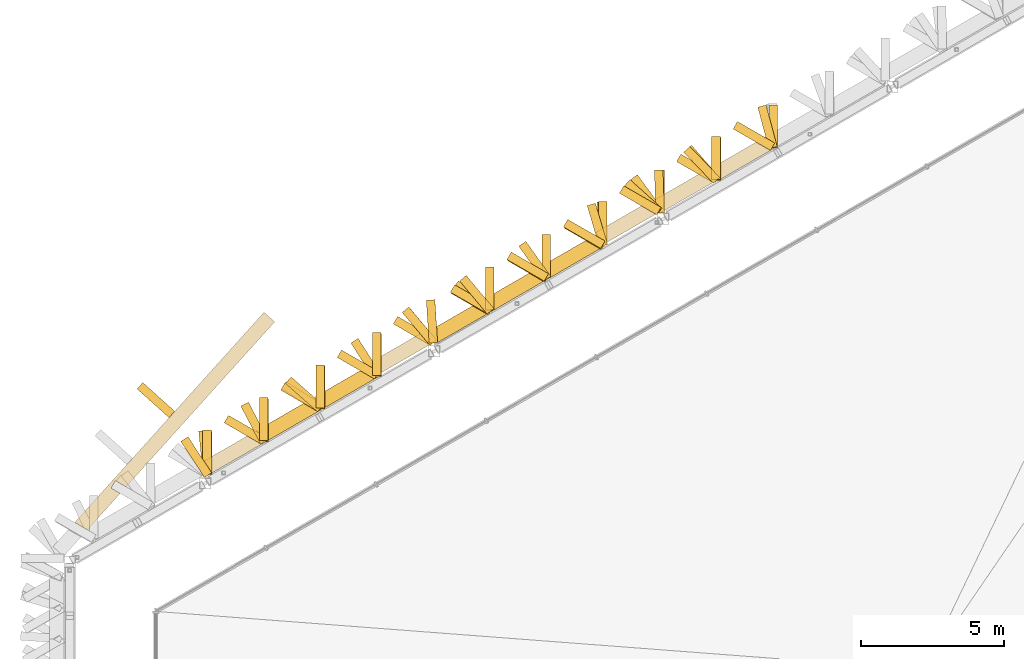
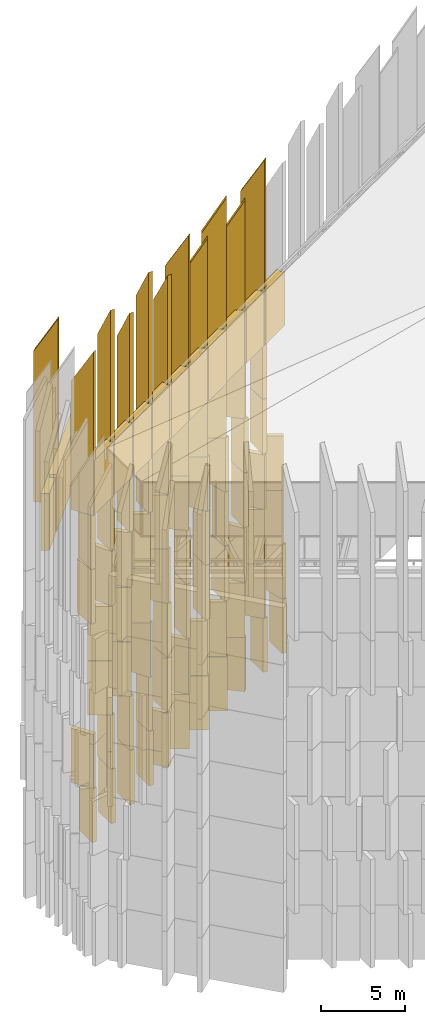
# One storey, part 42 of 45: 84 shading devices.
"""IFC4 building model written with IfcOpenShell, lengths in metres."""

from ifc_helpers import new_model, si_unit, direction, frame, frame_2d, origin, place, context, subcontext, project, spatial, polyline, rectangle, outline, extrude, material, layer, layer_set, type_object, element, save


model = new_model("IFC4")

# Units and contexts
model_context = context("Model", 3, precision=1e-05, world=origin(), true_north=direction((0.0, 1.0)))
body_context = subcontext(model_context, "Body", "Model", "MODEL_VIEW")
ifc_project = project(units=[si_unit("LENGTHUNIT", "METRE"), si_unit("AREAUNIT", "SQUARE_METRE"), si_unit("VOLUMEUNIT", "CUBIC_METRE"), si_unit("PLANEANGLEUNIT", "RADIAN"), si_unit("MASSUNIT", "GRAM", prefix="KILO")], contexts=[model_context])

# Site, building, storey
site_placement = place(None, origin())
site = spatial("IfcSite", under=ifc_project, at=site_placement, CompositionType="ELEMENT")
building_placement = place(site_placement, origin())
building = spatial("IfcBuilding", under=site, at=building_placement, Name="Jabali Bay Hotel Tower and Convention Centre", CompositionType="ELEMENT")
storey_placement = place(building_placement, frame((0.0, 0.0, 322.39990234375)))
storey = spatial("IfcBuildingStorey", under=building, at=storey_placement, Name="Crown", CompositionType="ELEMENT", Elevation=322.39990234375)

# Shading devices
ifc_material_1 = material(Name="Aluminium 6063", Category="aluminium")
shading_device_type_1 = type_object("IfcShadingDeviceType", Name="Louvre bank", PredefinedType="USERDEFINED", material=ifc_material_1)
shading_device_1_placement = place(storey_placement, frame((0.0, 0.0, 23.92431640625)))
element("IfcShadingDevice", 1, at=shading_device_1_placement, inside=storey, type_object=shading_device_type_1, Name="Louvre 7.2.36", ObjectType="LOUVRE", PredefinedType="USERDEFINED", context=body_context, shape_type="SweptSolid", body=[
    extrude(outline(polyline([(67.797119140625, 97.02880859375), (69.768310546875, 98.1669921875), (69.7490234375, 98.200439453125), (69.604248046875, 98.16162109375), (69.490966796875, 98.583984375), (67.581787109375, 97.48193359375), (67.887451171875, 97.16357421875), (67.779052734375, 97.059814453125), (67.797119140625, 97.02880859375)])), origin(), (0.0, 0.0, 1.0), 3.9658203125),
])
shading_device_2_placement = place(storey_placement, frame((0.0, 0.0, 23.92431640625)))
element("IfcShadingDevice", 2, at=shading_device_2_placement, inside=storey, type_object=shading_device_type_1, Name="Louvre 7.2.37", ObjectType="LOUVRE", PredefinedType="USERDEFINED", context=body_context, shape_type="SweptSolid", body=[
    extrude(outline(polyline([(65.81005859375, 95.917236328125), (67.64892578125, 96.978759765625), (67.292236328125, 97.350341796875), (65.56005859375, 96.350341796875), (65.617919921875, 96.250244140625), (65.843017578125, 96.120361328125), (65.767822265625, 95.990478515625), (65.81005859375, 95.917236328125)])), origin(), (0.0, 0.0, 1.0), 3.9658203125),
])
shading_device_3_placement = place(storey_placement, frame((0.0, 0.0, 23.92431640625)))
element("IfcShadingDevice", 3, at=shading_device_3_placement, inside=storey, type_object=shading_device_type_1, Name="Louvre 7.2.38", ObjectType="LOUVRE", PredefinedType="USERDEFINED", context=body_context, shape_type="SweptSolid", body=[
    extrude(outline(polyline([(63.817626953125, 94.815673828125), (65.66015625, 95.87939453125), (65.16015625, 96.168212890625), (63.567626953125, 95.248779296875), (63.666748046875, 95.0771484375), (63.891845703125, 94.947265625), (63.816650390625, 94.817138671875), (63.817626953125, 94.815673828125)])), origin(), (0.0, 0.0, 1.0), 3.9658203125),
])
shading_device_4_placement = place(storey_placement, frame((0.0, 0.0, 23.92431640625)))
element("IfcShadingDevice", 4, at=shading_device_4_placement, inside=storey, type_object=shading_device_type_1, Name="Louvre 7.2.39", ObjectType="LOUVRE", PredefinedType="USERDEFINED", context=body_context, shape_type="SweptSolid", body=[
    extrude(outline(polyline([(61.8828125, 93.614013671875), (63.74169921875, 94.687255859375), (63.24169921875, 94.97607421875), (61.6328125, 94.047119140625), (61.6953125, 93.93896484375), (61.92041015625, 93.808837890625), (61.84521484375, 93.678955078125), (61.8828125, 93.614013671875)])), origin(), (0.0, 0.0, 1.0), 3.9658203125),
])
shading_device_5_placement = place(storey_placement, frame((0.0, 0.0, 23.92431640625)))
element("IfcShadingDevice", 5, at=shading_device_5_placement, inside=storey, type_object=shading_device_type_1, Name="Louvre 7.2.40", ObjectType="LOUVRE", PredefinedType="USERDEFINED", context=body_context, shape_type="SweptSolid", body=[
    extrude(outline(polyline([(59.911376953125, 92.475830078125), (61.770263671875, 93.549072265625), (61.270263671875, 93.837890625), (59.721435546875, 92.943603515625), (60.013427734375, 92.5947265625), (59.8984375, 92.498291015625), (59.911376953125, 92.475830078125)])), origin(), (0.0, 0.0, 1.0), 3.9658203125),
])
shading_device_6_placement = place(storey_placement, frame((0.0, 0.0, 23.92431640625)))
element("IfcShadingDevice", 6, at=shading_device_6_placement, inside=storey, type_object=shading_device_type_1, Name="Louvre 7.2.41", ObjectType="LOUVRE", PredefinedType="USERDEFINED", context=body_context, shape_type="SweptSolid", body=[
    extrude(outline(polyline([(58.056396484375, 91.405029296875), (59.783447265625, 92.402099609375), (59.45751953125, 92.791259765625), (58.020263671875, 91.96142578125), (58.056396484375, 91.405029296875)])), origin(), (0.0, 0.0, 1.0), 3.9658203125),
])
shading_device_7_placement = place(storey_placement, frame((0.0, 0.0, 23.92431640625)))
element("IfcShadingDevice", 7, at=shading_device_7_placement, inside=storey, type_object=shading_device_type_1, Name="Louvre 7.2.42", ObjectType="LOUVRE", PredefinedType="USERDEFINED", context=body_context, shape_type="SweptSolid", body=[
    extrude(outline(polyline([(56.0810546875, 90.34912109375), (57.891357421875, 91.394287109375), (57.757080078125, 91.385498046875), (57.7373046875, 91.688720703125), (57.6533203125, 91.834228515625), (56.0810546875, 90.92626953125), (56.0810546875, 90.34912109375)])), origin(), (0.0, 0.0, 1.0), 3.9658203125),
])
shading_device_8_placement = place(storey_placement, frame((0.0, 0.0, 23.92431640625)))
element("IfcShadingDevice", 8, at=shading_device_8_placement, inside=storey, type_object=shading_device_type_1, Name="Louvre 7.2.43", ObjectType="LOUVRE", PredefinedType="USERDEFINED", context=body_context, shape_type="SweptSolid", body=[
    extrude(outline(polyline([(54.109619140625, 89.126220703125), (55.968505859375, 90.199462890625), (55.93115234375, 90.264404296875), (55.781005859375, 90.264404296875), (55.781005859375, 90.524169921875), (55.718505859375, 90.632568359375), (54.109619140625, 89.70361328125), (54.109619140625, 89.126220703125)])), origin(), (0.0, 0.0, 1.0), 3.9658203125),
])
shading_device_9_placement = place(storey_placement, frame((0.0, 0.0, 23.92431640625)))
element("IfcShadingDevice", 9, at=shading_device_9_placement, inside=storey, type_object=shading_device_type_1, Name="Louvre 7.2.44", ObjectType="LOUVRE", PredefinedType="USERDEFINED", context=body_context, shape_type="SweptSolid", body=[
    extrude(outline(polyline([(52.138427734375, 87.988037109375), (53.997314453125, 89.061279296875), (53.959716796875, 89.126220703125), (53.809814453125, 89.126220703125), (53.809814453125, 89.385986328125), (53.747314453125, 89.494384765625), (52.138427734375, 88.5654296875), (52.138427734375, 87.988037109375)])), origin(), (0.0, 0.0, 1.0), 3.9658203125),
])
shading_device_10_placement = place(storey_placement, frame((0.0, 0.0, 23.92431640625)))
element("IfcShadingDevice", 10, at=shading_device_10_placement, inside=storey, type_object=shading_device_type_1, Name="Louvre 7.2.45", ObjectType="LOUVRE", PredefinedType="USERDEFINED", context=body_context, shape_type="SweptSolid", body=[
    extrude(outline(polyline([(50.054443359375, 86.784912109375), (52.02587890625, 87.923095703125), (51.98828125, 87.988037109375), (51.83837890625, 87.988037109375), (51.83837890625, 88.247802734375), (51.77587890625, 88.356201171875), (49.908935546875, 87.2783203125), (50.1787109375, 86.869384765625), (50.053466796875, 86.786865234375), (50.054443359375, 86.784912109375)])), origin(), (0.0, 0.0, 1.0), 3.9658203125),
])
shading_device_11_placement = place(storey_placement, frame((0.0, 0.0, 23.92431640625)))
element("IfcShadingDevice", 11, at=shading_device_11_placement, inside=storey, type_object=shading_device_type_1, Name="Louvre 7.W01", ObjectType="LOUVRE", PredefinedType="USERDEFINED", context=body_context, shape_type="SweptSolid", body=[
    extrude(outline(polyline([(45.846923828125, 84.8779296875), (46.990234375, 86.147705078125), (46.67138671875, 86.331787109375), (46.821533203125, 86.591552734375), (47.1953125, 86.375732421875), (52.37646484375, 92.1298828125), (52.0048828125, 92.46435546875), (45.404052734375, 85.133544921875), (45.846923828125, 84.8779296875)])), origin(), (0.0, 0.0, 1.0), 4.17578125),
])
ifc_material_2 = material(Name="Precast concrete C60", Category="concrete")
ifc_layer = layer(ifc_material_2, 0.300048828125)
ifc_layer_set = layer_set([ifc_layer], Name="Precast concrete C60")
shading_device_type_2 = type_object("IfcShadingDeviceType", Name="Precast fin 3966 x 1500", PredefinedType="USERDEFINED", material=ifc_layer_set)
for number, where, z_axis, x_axis, name in (
    (12, (69.755859375, 98.1884765625, 0.010009765625), (0.0, 0.0, 1.0), (0.0, 1.0, 0.0), "Fin Crown:0 036"),
    (13, (67.784423828125, 97.05029296875, 0.010009765625), (0.0, 0.0, 1.0), (0.0, 1.0, 0.0), "Fin Crown:0 037"),
):
    element("IfcShadingDevice", number, at=place(storey_placement, frame(where, z_axis=z_axis, x_axis=x_axis)), inside=storey, type_object=shading_device_type_2, Name=name, ObjectType="FIN", PredefinedType="USERDEFINED", context=body_context, shape_type="SweptSolid", body=[
        extrude(rectangle(XDim=1.5, YDim=0.300048828125, at=frame_2d((0.75, 0.0))), origin(), (0.0, 0.0, 1.0), 3.9658203125),
    ])
shading_device_12_placement = place(storey_placement, frame((65.777099609375, 95.974609375, 0.010009765625), z_axis=(0.0, 0.0, 1.0), x_axis=(-0.744393689328, 0.667740994165, 0.0)))
element("IfcShadingDevice", 14, at=shading_device_12_placement, inside=storey, type_object=shading_device_type_2, Name="Fin Crown:0 038", ObjectType="FIN", PredefinedType="USERDEFINED", context=body_context, shape_type="SweptSolid", body=[
    extrude(rectangle(XDim=1.500244140625, YDim=0.300048828125, at=frame_2d((0.75, 0.0))), origin(), (0.0, 0.0, 1.0), 3.9658203125),
])
for number, where, z_axis, x_axis, name in (
    (15, (63.841796875, 94.77392578125, 0.010009765625), (0.0, 0.0, 1.0), (-0.866031096941, 0.499990139034, 0.0), "Fin Crown:0 039"),
    (16, (61.870361328125, 93.6357421875, 0.010009765625), (0.0, 0.0, 1.0), (-0.866031096941, 0.499990139034, 0.0), "Fin Crown:0 040"),
    (17, (59.89892578125, 92.49755859375, 0.010009765625), (0.0, 0.0, 1.0), (-0.866031096941, 0.499990139034, 0.0), "Fin Crown:0 041"),
    (18, (57.902587890625, 91.402587890625, 0.010009765625), (0.0, 0.0, 1.0), (-0.644847170474, 0.764311537746, 0.0), "Fin Crown:0 042"),
    (19, (55.9560546875, 90.22119140625, 0.010009765625), (0.0, 0.0, 1.0), (0.0, 1.0, 0.0), "Fin Crown:0 043"),
    (20, (53.984619140625, 89.0830078125, 0.010009765625), (0.0, 0.0, 1.0), (0.0, 1.0, 0.0), "Fin Crown:0 044"),
    (21, (52.013427734375, 87.94482421875, 0.010009765625), (0.0, 0.0, 1.0), (0.0, 1.0, 0.0), "Fin Crown:0 045"),
    (22, (50.0419921875, 86.806640625, 0.010009765625), (0.0, 0.0, 1.0), (0.0, 1.0, 0.0), "Fin Crown:0 046"),
):
    element("IfcShadingDevice", number, at=place(storey_placement, frame(where, z_axis=z_axis, x_axis=x_axis)), inside=storey, type_object=shading_device_type_2, Name=name, ObjectType="FIN", PredefinedType="USERDEFINED", context=body_context, shape_type="SweptSolid", body=[
        extrude(rectangle(XDim=1.5, YDim=0.300048828125, at=frame_2d((0.75, 0.0))), origin(), (0.0, 0.0, 1.0), 3.9658203125),
    ])
shading_device_13_placement = place(storey_placement, frame((69.7490234375, 98.200439453125, 3.995849609375), z_axis=(0.0, 0.0, 1.0), x_axis=(-0.258776761059, 0.965937155273, 0.0)))
element("IfcShadingDevice", 23, at=shading_device_13_placement, inside=storey, type_object=shading_device_type_2, Name="Fin Crown:1 036", ObjectType="FIN", PredefinedType="USERDEFINED", context=body_context, shape_type="SweptSolid", body=[
    extrude(rectangle(XDim=1.5, YDim=0.300048828125, at=frame_2d((0.75, 0.0))), origin(), (0.0, 0.0, 1.0), 3.965576171875),
])
shading_device_14_placement = place(storey_placement, frame((67.779052734375, 97.059814453125, 3.995849609375), z_axis=(0.0, 0.0, 1.0), x_axis=(-0.692470833626, 0.721445870858, 0.0)))
element("IfcShadingDevice", 24, at=shading_device_14_placement, inside=storey, type_object=shading_device_type_2, Name="Fin Crown:1 037", ObjectType="FIN", PredefinedType="USERDEFINED", context=body_context, shape_type="SweptSolid", body=[
    extrude(rectangle(XDim=1.499755859375, YDim=0.300048828125, at=frame_2d((0.75, 0.0))), origin(), (0.0, 0.0, 1.0), 3.965576171875),
])
for number, where, z_axis, x_axis, name in (
    (25, (65.767822265625, 95.990478515625, 3.995849609375), (0.0, 0.0, 1.0), (-0.866031096941, 0.499990139034, 0.0), "Fin Crown:1 038"),
    (26, (63.816650390625, 94.817138671875, 3.995849609375), (0.0, 0.0, 1.0), (-0.866031096941, 0.499990139034, 0.0), "Fin Crown:1 039"),
):
    element("IfcShadingDevice", number, at=place(storey_placement, frame(where, z_axis=z_axis, x_axis=x_axis)), inside=storey, type_object=shading_device_type_2, Name=name, ObjectType="FIN", PredefinedType="USERDEFINED", context=body_context, shape_type="SweptSolid", body=[
        extrude(rectangle(XDim=1.5, YDim=0.300048828125, at=frame_2d((0.75, 0.0))), origin(), (0.0, 0.0, 1.0), 3.965576171875),
    ])
shading_device_15_placement = place(storey_placement, frame((61.84521484375, 93.678955078125, 3.995849609375), z_axis=(0.0, 0.0, 1.0), x_axis=(-0.86599040064, 0.500060622324, 0.0)))
element("IfcShadingDevice", 27, at=shading_device_15_placement, inside=storey, type_object=shading_device_type_2, Name="Fin Crown:1 040", ObjectType="FIN", PredefinedType="USERDEFINED", context=body_context, shape_type="SweptSolid", body=[
    extrude(rectangle(XDim=1.499755859375, YDim=0.300048828125, at=frame_2d((0.75, 0.0))), origin(), (0.0, 0.0, 1.0), 3.965576171875),
])
for number, where, z_axis, x_axis, name in (
    (28, (59.8984375, 92.498291015625, 3.995849609375), (0.0, 0.0, 1.0), (-0.641927755042, 0.766765125254, 0.0), "Fin Crown:1 041"),
    (29, (57.90673828125, 91.395263671875, 3.995849609375), (0.0, 0.0, 1.0), (-0.065103800177, 0.997878497214, 0.0), "Fin Crown:1 042"),
    (30, (55.93115234375, 90.264404296875, 3.995849609375), (0.0, 0.0, 1.0), (0.0, 1.0, 0.0), "Fin Crown:1 043"),
    (31, (53.959716796875, 89.126220703125, 3.995849609375), (0.0, 0.0, 1.0), (0.0, 1.0, 0.0), "Fin Crown:1 044"),
    (32, (51.98828125, 87.988037109375, 3.995849609375), (0.0, 0.0, 1.0), (0.0, 1.0, 0.0), "Fin Crown:1 045"),
    (33, (50.053466796875, 86.786865234375, 3.995849609375), (0.0, 0.0, 1.0), (-0.55048614265, 0.834844300903, 0.0), "Fin Crown:1 046"),
):
    element("IfcShadingDevice", number, at=place(storey_placement, frame(where, z_axis=z_axis, x_axis=x_axis)), inside=storey, type_object=shading_device_type_2, Name=name, ObjectType="FIN", PredefinedType="USERDEFINED", context=body_context, shape_type="SweptSolid", body=[
        extrude(rectangle(XDim=1.5, YDim=0.300048828125, at=frame_2d((0.75, 0.0))), origin(), (0.0, 0.0, 1.0), 3.965576171875),
    ])
for number, where, z_axis, x_axis, name in (
    (34, (69.73095703125, 98.231689453125, 7.9814453125), (0.0, 0.0, 1.0), (-0.866031096941, 0.499990139034, 0.0), "Fin Crown:2 036"),
    (35, (67.759521484375, 97.093505859375, 7.9814453125), (0.0, 0.0, 1.0), (-0.866031096941, 0.499990139034, 0.0), "Fin Crown:2 037"),
):
    element("IfcShadingDevice", number, at=place(storey_placement, frame(where, z_axis=z_axis, x_axis=x_axis)), inside=storey, type_object=shading_device_type_2, Name=name, ObjectType="FIN", PredefinedType="USERDEFINED", context=body_context, shape_type="SweptSolid", body=[
        extrude(rectangle(XDim=1.5, YDim=0.300048828125, at=frame_2d((0.75, 0.0))), origin(), (0.0, 0.0, 1.0), 3.9658203125),
    ])
shading_device_16_placement = place(storey_placement, frame((65.784912109375, 95.9609375, 7.9814453125), z_axis=(0.0, 0.0, 1.0), x_axis=(-0.591554188161, 0.806265243248, 0.0)))
element("IfcShadingDevice", 36, at=shading_device_16_placement, inside=storey, type_object=shading_device_type_2, Name="Fin Crown:2 038", ObjectType="FIN", PredefinedType="USERDEFINED", context=body_context, shape_type="SweptSolid", body=[
    extrude(rectangle(XDim=1.499755859375, YDim=0.300048828125, at=frame_2d((0.75, 0.0))), origin(), (0.0, 0.0, 1.0), 3.9658203125),
])
for number, where, z_axis, x_axis, name in (
    (37, (63.819091796875, 94.813232421875, 7.9814453125), (0.0, 0.0, 1.0), (-0.035157404897, 0.999381787347, 0.0), "Fin Crown:2 039"),
    (38, (61.84521484375, 93.678955078125, 7.9814453125), (0.0, 0.0, 1.0), (0.0, 1.0, 0.0), "Fin Crown:2 040"),
    (39, (59.8740234375, 92.540771484375, 7.9814453125), (0.0, 0.0, 1.0), (0.0, 1.0, 0.0), "Fin Crown:2 041"),
    (40, (57.90673828125, 91.3955078125, 7.9814453125), (0.0, 0.0, 1.0), (-0.062986231451, 0.998014396012, 0.0), "Fin Crown:2 042"),
    (41, (55.96533203125, 90.205322265625, 7.9814453125), (0.0, 0.0, 1.0), (-0.538559424123, 0.842587530579, 0.0), "Fin Crown:2 043"),
):
    element("IfcShadingDevice", number, at=place(storey_placement, frame(where, z_axis=z_axis, x_axis=x_axis)), inside=storey, type_object=shading_device_type_2, Name=name, ObjectType="FIN", PredefinedType="USERDEFINED", context=body_context, shape_type="SweptSolid", body=[
        extrude(rectangle(XDim=1.5, YDim=0.300048828125, at=frame_2d((0.75, 0.0))), origin(), (0.0, 0.0, 1.0), 3.9658203125),
    ])
shading_device_17_placement = place(storey_placement, frame((53.962158203125, 89.1220703125, 7.9814453125), z_axis=(0.0, 0.0, 1.0), x_axis=(-0.84724773384, 0.531197964513, 0.0)))
element("IfcShadingDevice", 42, at=shading_device_17_placement, inside=storey, type_object=shading_device_type_2, Name="Fin Crown:2 044", ObjectType="FIN", PredefinedType="USERDEFINED", context=body_context, shape_type="SweptSolid", body=[
    extrude(rectangle(XDim=1.500244140625, YDim=0.300048828125, at=frame_2d((0.75, 0.0))), origin(), (0.0, 0.0, 1.0), 3.9658203125),
])
shading_device_18_placement = place(storey_placement, frame((51.98828125, 87.988037109375, 7.9814453125), z_axis=(0.0, 0.0, 1.0), x_axis=(-0.866031096941, 0.499990139034, 0.0)))
element("IfcShadingDevice", 43, at=shading_device_18_placement, inside=storey, type_object=shading_device_type_2, Name="Fin Crown:2 045", ObjectType="FIN", PredefinedType="USERDEFINED", context=body_context, shape_type="SweptSolid", body=[
    extrude(rectangle(XDim=1.5, YDim=0.300048828125, at=frame_2d((0.75, 0.0))), origin(), (0.0, 0.0, 1.0), 3.9658203125),
])
for number, where, z_axis, x_axis, name in (
    (44, (69.73095703125, 98.231689453125, 11.96728515625), (0.0, 0.0, 1.0), (-0.866031096941, 0.499990139034, 0.0), "Fin Crown:3 036"),
    (45, (67.782470703125, 97.0537109375, 11.96728515625), (0.0, 0.0, 1.0), (-0.65772068941, 0.75326190314, 0.0), "Fin Crown:3 037"),
    (46, (65.81005859375, 95.917236328125, 11.96728515625), (0.0, 0.0, 1.0), (0.0, 1.0, 0.0), "Fin Crown:3 038"),
    (47, (63.816650390625, 94.817138671875, 11.96728515625), (0.0, 0.0, 1.0), (0.0, 1.0, 0.0), "Fin Crown:3 039"),
    (48, (61.84521484375, 93.678955078125, 11.96728515625), (0.0, 0.0, 1.0), (0.0, 1.0, 0.0), "Fin Crown:3 040"),
    (49, (59.8740234375, 92.540771484375, 11.96728515625), (0.0, 0.0, 1.0), (0.0, 1.0, 0.0), "Fin Crown:3 041"),
):
    element("IfcShadingDevice", number, at=place(storey_placement, frame(where, z_axis=z_axis, x_axis=x_axis)), inside=storey, type_object=shading_device_type_2, Name=name, ObjectType="FIN", PredefinedType="USERDEFINED", context=body_context, shape_type="SweptSolid", body=[
        extrude(rectangle(XDim=1.5, YDim=0.300048828125, at=frame_2d((0.75, 0.0))), origin(), (0.0, 0.0, 1.0), 3.965576171875),
    ])
shading_device_19_placement = place(storey_placement, frame((57.90283203125, 91.402099609375, 11.96728515625), z_axis=(0.0, 0.0, 1.0), x_axis=(-0.642199187237, 0.766537803316, 0.0)))
element("IfcShadingDevice", 50, at=shading_device_19_placement, inside=storey, type_object=shading_device_type_2, Name="Fin Crown:3 042", ObjectType="FIN", PredefinedType="USERDEFINED", context=body_context, shape_type="SweptSolid", body=[
    extrude(rectangle(XDim=1.500244140625, YDim=0.300048828125, at=frame_2d((0.75, 0.0))), origin(), (0.0, 0.0, 1.0), 3.965576171875),
])
for number, where, z_axis, x_axis, name in (
    (51, (55.93115234375, 90.264404296875, 11.96728515625), (0.0, 0.0, 1.0), (-0.866031096941, 0.499990139034, 0.0), "Fin Crown:3 043"),
    (52, (53.959716796875, 89.126220703125, 11.96728515625), (0.0, 0.0, 1.0), (-0.866031096941, 0.499990139034, 0.0), "Fin Crown:3 044"),
    (53, (51.98828125, 87.988037109375, 11.96728515625), (0.0, 0.0, 1.0), (-0.866031096941, 0.499990139034, 0.0), "Fin Crown:3 045"),
):
    element("IfcShadingDevice", number, at=place(storey_placement, frame(where, z_axis=z_axis, x_axis=x_axis)), inside=storey, type_object=shading_device_type_2, Name=name, ObjectType="FIN", PredefinedType="USERDEFINED", context=body_context, shape_type="SweptSolid", body=[
        extrude(rectangle(XDim=1.5, YDim=0.300048828125, at=frame_2d((0.75, 0.0))), origin(), (0.0, 0.0, 1.0), 3.965576171875),
    ])
for number, where, z_axis, x_axis, name in (
    (54, (67.759521484375, 97.093505859375, 15.952880859375), (0.0, 0.0, 1.0), (0.0, 1.0, 0.0), "Fin Crown:4 037"),
    (55, (65.80859375, 95.919921875, 15.952880859375), (0.0, 0.0, 1.0), (-0.030436958271, 0.999536688457, 0.0), "Fin Crown:4 038"),
    (56, (63.83642578125, 94.782958984375, 15.952880859375), (0.0, 0.0, 1.0), (-0.281743319258, 0.959489813418, 0.0), "Fin Crown:4 039"),
    (57, (61.875732421875, 93.626220703125, 15.952880859375), (0.0, 0.0, 1.0), (-0.578617803068, 0.815598821709, 0.0), "Fin Crown:4 040"),
    (58, (59.882568359375, 92.52587890625, 15.952880859375), (0.0, 0.0, 1.0), (-0.794893405791, 0.606749102537, 0.0), "Fin Crown:4 041"),
):
    element("IfcShadingDevice", number, at=place(storey_placement, frame(where, z_axis=z_axis, x_axis=x_axis)), inside=storey, type_object=shading_device_type_2, Name=name, ObjectType="FIN", PredefinedType="USERDEFINED", context=body_context, shape_type="SweptSolid", body=[
        extrude(rectangle(XDim=1.5, YDim=0.300048828125, at=frame_2d((0.75, 0.0))), origin(), (0.0, 0.0, 1.0), 3.9658203125),
    ])
shading_device_20_placement = place(storey_placement, frame((57.88330078125, 91.435791015625, 15.952880859375), z_axis=(0.0, 0.0, 1.0), x_axis=(-0.86599040064, 0.500060622324, 0.0)))
element("IfcShadingDevice", 59, at=shading_device_20_placement, inside=storey, type_object=shading_device_type_2, Name="Fin Crown:4 042", ObjectType="FIN", PredefinedType="USERDEFINED", context=body_context, shape_type="SweptSolid", body=[
    extrude(rectangle(XDim=1.499755859375, YDim=0.300048828125, at=frame_2d((0.75, 0.0))), origin(), (0.0, 0.0, 1.0), 3.9658203125),
])
for number, where, z_axis, x_axis, name in (
    (60, (55.93115234375, 90.264404296875, 15.952880859375), (0.0, 0.0, 1.0), (-0.866031096941, 0.499990139034, 0.0), "Fin Crown:4 043"),
    (61, (53.973388671875, 89.1025390625, 15.952880859375), (0.0, 0.0, 1.0), (-0.748844321161, 0.662745941266, 0.0), "Fin Crown:4 044"),
    (62, (52.022705078125, 87.9287109375, 15.952880859375), (0.0, 0.0, 1.0), (-0.463222250795, 0.886242148833, 0.0), "Fin Crown:4 045"),
):
    element("IfcShadingDevice", number, at=place(storey_placement, frame(where, z_axis=z_axis, x_axis=x_axis)), inside=storey, type_object=shading_device_type_2, Name=name, ObjectType="FIN", PredefinedType="USERDEFINED", context=body_context, shape_type="SweptSolid", body=[
        extrude(rectangle(XDim=1.5, YDim=0.300048828125, at=frame_2d((0.75, 0.0))), origin(), (0.0, 0.0, 1.0), 3.9658203125),
    ])
shading_device_21_placement = place(storey_placement, frame((50.023681640625, 86.83837890625, 15.952880859375), z_axis=(0.0, 0.0, 1.0), x_axis=(-0.099600399195, 0.995027517449, 0.0)))
element("IfcShadingDevice", 63, at=shading_device_21_placement, inside=storey, type_object=shading_device_type_2, Name="Fin Crown:4 046", ObjectType="FIN", PredefinedType="USERDEFINED", context=body_context, shape_type="SweptSolid", body=[
    extrude(rectangle(XDim=1.500244140625, YDim=0.300048828125, at=frame_2d((0.75, 0.0))), origin(), (0.0, 0.0, 1.0), 3.9658203125),
])
shading_device_22_placement = place(storey_placement, frame((67.759521484375, 97.093505859375, 19.938720703125), z_axis=(0.0, 0.0, 1.0), x_axis=(0.0, 1.0, 0.0)))
element("IfcShadingDevice", 64, at=shading_device_22_placement, inside=storey, type_object=shading_device_type_2, Name="Fin Crown:5 037", ObjectType="FIN", PredefinedType="USERDEFINED", context=body_context, shape_type="SweptSolid", body=[
    extrude(rectangle(XDim=1.5, YDim=0.300048828125, at=frame_2d((0.75, 0.0))), origin(), (0.0, 0.0, 1.0), 3.965576171875),
])
shading_device_23_placement = place(storey_placement, frame((65.777099609375, 95.974609375, 19.938720703125), z_axis=(0.0, 0.0, 1.0), x_axis=(-0.744393689328, 0.667740994165, 0.0)))
element("IfcShadingDevice", 65, at=shading_device_23_placement, inside=storey, type_object=shading_device_type_2, Name="Fin Crown:5 038", ObjectType="FIN", PredefinedType="USERDEFINED", context=body_context, shape_type="SweptSolid", body=[
    extrude(rectangle(XDim=1.500244140625, YDim=0.300048828125, at=frame_2d((0.75, 0.0))), origin(), (0.0, 0.0, 1.0), 3.965576171875),
])
shading_device_24_placement = place(storey_placement, frame((63.816650390625, 94.817138671875, 19.938720703125), z_axis=(0.0, 0.0, 1.0), x_axis=(-0.866031096941, 0.499990139034, 0.0)))
element("IfcShadingDevice", 66, at=shading_device_24_placement, inside=storey, type_object=shading_device_type_2, Name="Fin Crown:5 039", ObjectType="FIN", PredefinedType="USERDEFINED", context=body_context, shape_type="SweptSolid", body=[
    extrude(rectangle(XDim=1.5, YDim=0.300048828125, at=frame_2d((0.75, 0.0))), origin(), (0.0, 0.0, 1.0), 3.965576171875),
])
shading_device_25_placement = place(storey_placement, frame((61.84521484375, 93.678955078125, 19.938720703125), z_axis=(0.0, 0.0, 1.0), x_axis=(-0.86599040064, 0.500060622324, 0.0)))
element("IfcShadingDevice", 67, at=shading_device_25_placement, inside=storey, type_object=shading_device_type_2, Name="Fin Crown:5 040", ObjectType="FIN", PredefinedType="USERDEFINED", context=body_context, shape_type="SweptSolid", body=[
    extrude(rectangle(XDim=1.499755859375, YDim=0.300048828125, at=frame_2d((0.75, 0.0))), origin(), (0.0, 0.0, 1.0), 3.965576171875),
])
for number, where, z_axis, x_axis, name in (
    (68, (59.8740234375, 92.540771484375, 19.938720703125), (0.0, 0.0, 1.0), (-0.866031096941, 0.499990139034, 0.0), "Fin Crown:5 041"),
    (69, (57.902587890625, 91.402587890625, 19.938720703125), (0.0, 0.0, 1.0), (-0.644847170474, 0.764311537746, 0.0), "Fin Crown:5 042"),
    (70, (55.93115234375, 90.264404296875, 19.938720703125), (0.0, 0.0, 1.0), (0.0, 1.0, 0.0), "Fin Crown:5 043"),
    (71, (53.959716796875, 89.126220703125, 19.938720703125), (0.0, 0.0, 1.0), (0.0, 1.0, 0.0), "Fin Crown:5 044"),
    (72, (51.98828125, 87.988037109375, 19.938720703125), (0.0, 0.0, 1.0), (0.0, 1.0, 0.0), "Fin Crown:5 045"),
    (73, (50.016845703125, 86.849853515625, 19.938720703125), (0.0, 0.0, 1.0), (0.0, 1.0, 0.0), "Fin Crown:5 046"),
):
    element("IfcShadingDevice", number, at=place(storey_placement, frame(where, z_axis=z_axis, x_axis=x_axis)), inside=storey, type_object=shading_device_type_2, Name=name, ObjectType="FIN", PredefinedType="USERDEFINED", context=body_context, shape_type="SweptSolid", body=[
        extrude(rectangle(XDim=1.5, YDim=0.300048828125, at=frame_2d((0.75, 0.0))), origin(), (0.0, 0.0, 1.0), 3.965576171875),
    ])
shading_device_26_placement = place(storey_placement, frame((67.779052734375, 97.059814453125, 23.92431640625), z_axis=(0.0, 0.0, 1.0), x_axis=(-0.692470833626, 0.721445870858, 0.0)))
element("IfcShadingDevice", 74, at=shading_device_26_placement, inside=storey, type_object=shading_device_type_2, Name="Fin Crown:6 037", ObjectType="FIN", PredefinedType="USERDEFINED", context=body_context, shape_type="SweptSolid", body=[
    extrude(outline(polyline([(0.0, 0.0), (1.499755859375, 0.0), (1.5, 10.9677734375), (0.0, 13.565673828125), (0.0, 0.0)])), frame((0.0, 0.14990234375, 0.0), z_axis=(0.0, -1.0, 0.0), x_axis=(1.0, 0.0, 0.0)), (0.0, 0.0, 1.0), 0.300048828125),
])
shading_device_27_placement = place(storey_placement, frame((65.767822265625, 95.990478515625, 23.92431640625), z_axis=(0.0, 0.0, 1.0), x_axis=(-0.866031096941, 0.499990139034, 0.0)))
element("IfcShadingDevice", 75, at=shading_device_27_placement, inside=storey, type_object=shading_device_type_2, Name="Fin Crown:6 038", ObjectType="FIN", PredefinedType="USERDEFINED", context=body_context, shape_type="SweptSolid", body=[
    extrude(outline(polyline([(0.0, 0.0), (1.5, 0.0), (1.5, 9.36767578125), (0.0, 11.9658203125), (0.0, 0.0)])), frame((0.0, 0.14990234375, 0.0), z_axis=(0.0, -1.0, 0.0), x_axis=(1.0, 0.0, 0.0)), (0.0, 0.0, 1.0), 0.300048828125),
])
shading_device_28_placement = place(storey_placement, frame((63.816650390625, 94.817138671875, 23.92431640625), z_axis=(0.0, 0.0, 1.0), x_axis=(-0.866031096941, 0.499990139034, 0.0)))
element("IfcShadingDevice", 76, at=shading_device_28_placement, inside=storey, type_object=shading_device_type_2, Name="Fin Crown:6 039", ObjectType="FIN", PredefinedType="USERDEFINED", context=body_context, shape_type="SweptSolid", body=[
    extrude(outline(polyline([(0.0, 0.0), (1.5, 0.0), (1.5, 10.9677734375), (0.0, 13.565673828125), (0.0, 0.0)])), frame((0.0, 0.14990234375, 0.0), z_axis=(0.0, -1.0, 0.0), x_axis=(1.0, 0.0, 0.0)), (0.0, 0.0, 1.0), 0.300048828125),
])
shading_device_29_placement = place(storey_placement, frame((61.84521484375, 93.678955078125, 23.92431640625), z_axis=(0.0, 0.0, 1.0), x_axis=(-0.86599040064, 0.500060622324, 0.0)))
element("IfcShadingDevice", 77, at=shading_device_29_placement, inside=storey, type_object=shading_device_type_2, Name="Fin Crown:6 040", ObjectType="FIN", PredefinedType="USERDEFINED", context=body_context, shape_type="SweptSolid", body=[
    extrude(outline(polyline([(0.0, 0.0), (1.499755859375, 0.0), (1.5, 9.36767578125), (0.0, 11.9658203125), (0.0, 0.0)])), frame((0.0, 0.14990234375, 0.0), z_axis=(0.0, -1.0, 0.0), x_axis=(1.0, 0.0, 0.0)), (0.0, 0.0, 1.0), 0.300048828125),
])
shading_device_30_placement = place(storey_placement, frame((59.8984375, 92.498291015625, 23.92431640625), z_axis=(0.0, 0.0, 1.0), x_axis=(-0.641927755042, 0.766765125254, 0.0)))
element("IfcShadingDevice", 78, at=shading_device_30_placement, inside=storey, type_object=shading_device_type_2, Name="Fin Crown:6 041", ObjectType="FIN", PredefinedType="USERDEFINED", context=body_context, shape_type="SweptSolid", body=[
    extrude(outline(polyline([(0.0, 0.0), (1.5, 0.0), (1.5, 10.9677734375), (0.0, 13.565673828125), (0.0, 0.0)])), frame((0.0, 0.14990234375, 0.0), z_axis=(0.0, -1.0, 0.0), x_axis=(1.0, 0.0, 0.0)), (0.0, 0.0, 1.0), 0.300048828125),
])
shading_device_31_placement = place(storey_placement, frame((57.90673828125, 91.395263671875, 23.92431640625), z_axis=(0.0, 0.0, 1.0), x_axis=(-0.065103800177, 0.997878497214, 0.0)))
element("IfcShadingDevice", 79, at=shading_device_31_placement, inside=storey, type_object=shading_device_type_2, Name="Fin Crown:6 042", ObjectType="FIN", PredefinedType="USERDEFINED", context=body_context, shape_type="SweptSolid", body=[
    extrude(outline(polyline([(0.0, 0.0), (1.5, 0.0), (1.5, 9.36767578125), (0.0, 11.9658203125), (0.0, 0.0)])), frame((0.0, 0.14990234375, 0.0), z_axis=(0.0, -1.0, 0.0), x_axis=(1.0, 0.0, 0.0)), (0.0, 0.0, 1.0), 0.300048828125),
])
shading_device_32_placement = place(storey_placement, frame((55.93115234375, 90.264404296875, 23.92431640625), z_axis=(0.0, 0.0, 1.0), x_axis=(0.0, 1.0, 0.0)))
element("IfcShadingDevice", 80, at=shading_device_32_placement, inside=storey, type_object=shading_device_type_2, Name="Fin Crown:6 043", ObjectType="FIN", PredefinedType="USERDEFINED", context=body_context, shape_type="SweptSolid", body=[
    extrude(outline(polyline([(0.0, 0.0), (1.5, 0.0), (1.5, 10.9677734375), (0.0, 13.565673828125), (0.0, 0.0)])), frame((0.0, 0.14990234375, 0.0), z_axis=(0.0, -1.0, 0.0), x_axis=(1.0, 0.0, 0.0)), (0.0, 0.0, 1.0), 0.300048828125),
])
shading_device_33_placement = place(storey_placement, frame((53.959716796875, 89.126220703125, 23.92431640625), z_axis=(0.0, 0.0, 1.0), x_axis=(0.0, 1.0, 0.0)))
element("IfcShadingDevice", 81, at=shading_device_33_placement, inside=storey, type_object=shading_device_type_2, Name="Fin Crown:6 044", ObjectType="FIN", PredefinedType="USERDEFINED", context=body_context, shape_type="SweptSolid", body=[
    extrude(outline(polyline([(0.0, 0.0), (1.5, 0.0), (1.5, 9.36767578125), (0.0, 11.9658203125), (0.0, 0.0)])), frame((0.0, 0.14990234375, 0.0), z_axis=(0.0, -1.0, 0.0), x_axis=(1.0, 0.0, 0.0)), (0.0, 0.0, 1.0), 0.300048828125),
])
shading_device_34_placement = place(storey_placement, frame((51.98828125, 87.988037109375, 23.92431640625), z_axis=(0.0, 0.0, 1.0), x_axis=(0.0, 1.0, 0.0)))
element("IfcShadingDevice", 82, at=shading_device_34_placement, inside=storey, type_object=shading_device_type_2, Name="Fin Crown:6 045", ObjectType="FIN", PredefinedType="USERDEFINED", context=body_context, shape_type="SweptSolid", body=[
    extrude(outline(polyline([(0.0, 0.0), (1.5, 0.0), (1.5, 10.9677734375), (0.0, 13.565673828125), (0.0, 0.0)])), frame((0.0, 0.14990234375, 0.0), z_axis=(0.0, -1.0, 0.0), x_axis=(1.0, 0.0, 0.0)), (0.0, 0.0, 1.0), 0.300048828125),
])
shading_device_35_placement = place(storey_placement, frame((50.053466796875, 86.786865234375, 23.92431640625), z_axis=(0.0, 0.0, 1.0), x_axis=(-0.55048614265, 0.834844300903, 0.0)))
element("IfcShadingDevice", 83, at=shading_device_35_placement, inside=storey, type_object=shading_device_type_2, Name="Fin Crown:6 046", ObjectType="FIN", PredefinedType="USERDEFINED", context=body_context, shape_type="SweptSolid", body=[
    extrude(outline(polyline([(0.0, 0.0), (1.5, 0.0), (1.5, 9.36767578125), (0.0, 11.9658203125), (0.0, 0.0)])), frame((0.0, 0.14990234375, 0.0), z_axis=(0.0, -1.0, 0.0), x_axis=(1.0, 0.0, 0.0)), (0.0, 0.0, 1.0), 0.300048828125),
])
shading_device_36_placement = place(storey_placement, frame((48.79296875, 88.8974609375, 23.92431640625), z_axis=(0.0, 0.0, 1.0), x_axis=(-0.743164643271, 0.669108595814, 0.0)))
element("IfcShadingDevice", 84, at=shading_device_36_placement, inside=storey, type_object=shading_device_type_2, Name="Fin W7.01", ObjectType="FIN", PredefinedType="USERDEFINED", context=body_context, shape_type="SweptSolid", body=[
    extrude(outline(polyline([(0.0, 0.0), (1.5, 0.0), (1.5, 10.9677734375), (0.0, 13.565673828125), (0.0, 0.0)])), frame((0.0, 0.14990234375, 0.0), z_axis=(0.0, -1.0, 0.0), x_axis=(1.0, 0.0, 0.0)), (0.0, 0.0, 1.0), 0.300048828125),
])

save(model, "model.ifc")
